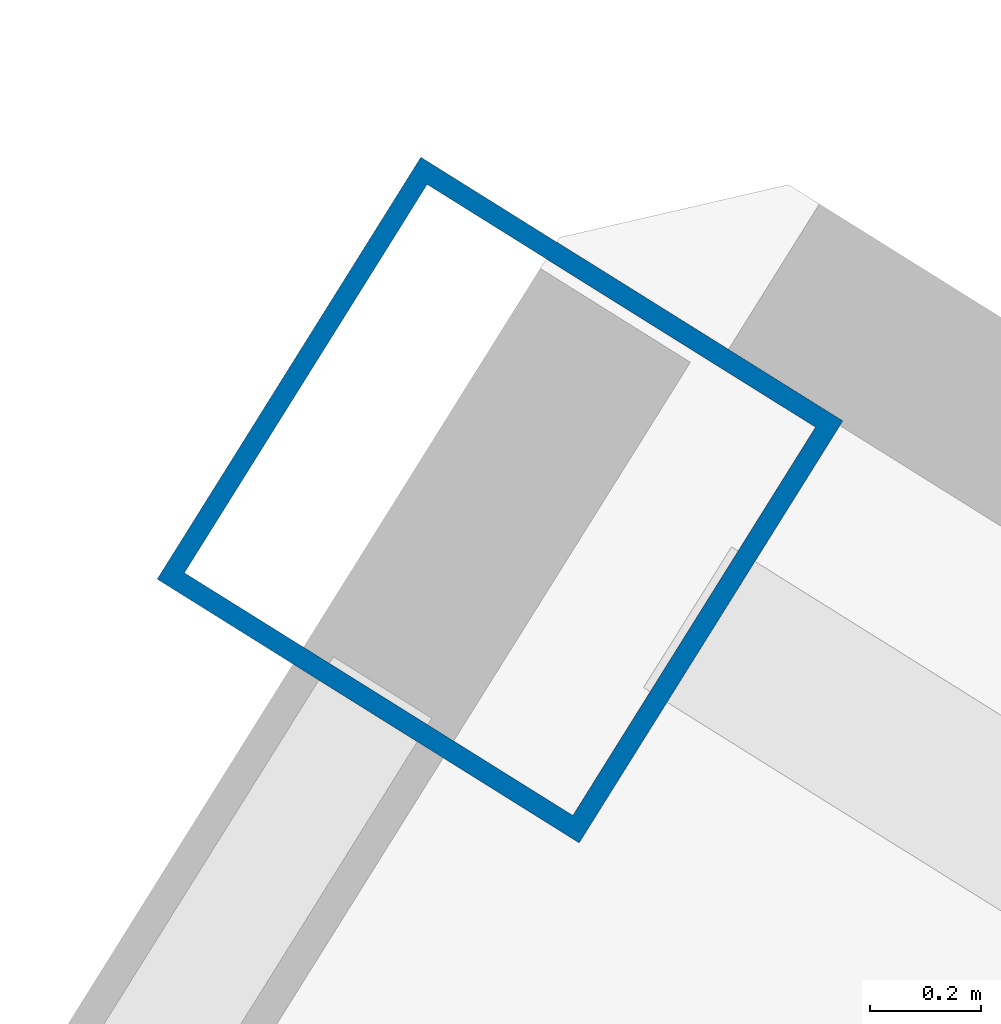
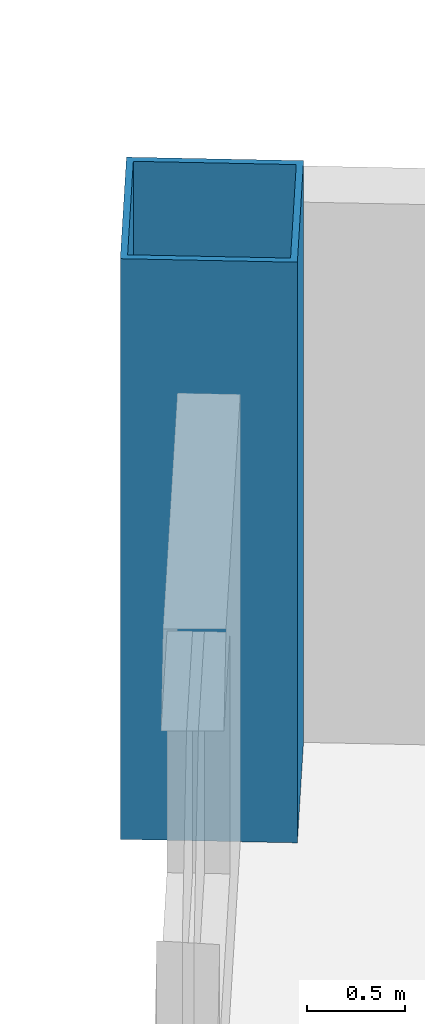
# One storey, part 3 of 18: 1 column.
"""IFC4 building model written with IfcOpenShell, lengths in metres."""

from ifc_helpers import new_model, si_unit, direction, frame, origin, origin_2d, place, context, subcontext, project, spatial, hollow_rectangle, extrude, source, transform, mapped, material, material_profile, profile_set, type_object, element, save


model = new_model("IFC4")

# Units and contexts
model_context = context("Model", 3, precision=1e-05, world=origin(), true_north=direction((0.0, 1.0)))
body_context = subcontext(model_context, "Body", "Model", "MODEL_VIEW")
ifc_project = project(units=[si_unit("LENGTHUNIT", "METRE"), si_unit("AREAUNIT", "SQUARE_METRE"), si_unit("VOLUMEUNIT", "CUBIC_METRE"), si_unit("PLANEANGLEUNIT", "RADIAN"), si_unit("MASSUNIT", "GRAM", prefix="KILO")], contexts=[model_context])

# Site, building, storey
site_placement = place(None, origin())
site = spatial("IfcSite", under=ifc_project, at=site_placement, CompositionType="ELEMENT")
building_placement = place(site_placement, origin())
building = spatial("IfcBuilding", under=site, at=building_placement, Name="Tlacorven Tower", CompositionType="ELEMENT")
storey_placement = place(building_placement, frame((0.0, 0.0, 140.699951171875)))
storey = spatial("IfcBuildingStorey", under=building, at=storey_placement, Name="L35", CompositionType="ELEMENT", Elevation=140.699951171875)

# Column
ifc_material = material(Name="Steel S460M", Category="steel")
ifc_material_profile = material_profile(ifc_material, hollow_rectangle(XDim=0.89990234375, YDim=0.89990234375, WallThickness=0.035888671875, at=origin_2d()), Name="BOX 900X900X36")
ifc_profile_set = profile_set([ifc_material_profile], Name="Steel S460M")
column_type = type_object("IfcColumnType", Name="COL-TWR-S2", PredefinedType="COLUMN", material=ifc_profile_set)
shared_shape = source(origin(), body_context, "Body", "SweptSolid", [
    extrude(hollow_rectangle(XDim=0.89990234375, YDim=0.89990234375, WallThickness=0.035888671875, at=origin_2d()), origin(), (0.0, 0.0, 1.0), 3.60009765625),
])
column_placement = place(storey_placement, frame((13.6455078125, 41.42578125, 0.0), z_axis=(0.0, 0.0, 1.0), x_axis=(-0.848048096156, 0.529919264233, 0.0)))
element("IfcColumn", 1, at=column_placement, inside=storey, type_object=column_type, Name="L35 column COL-L35-W6-1", PredefinedType="COLUMN", context=body_context, shape_type="MappedRepresentation", body=[
    mapped(shared_shape, transform((0.0, 0.0, 0.0), scale=1.0)),
])

save(model, "model.ifc")
